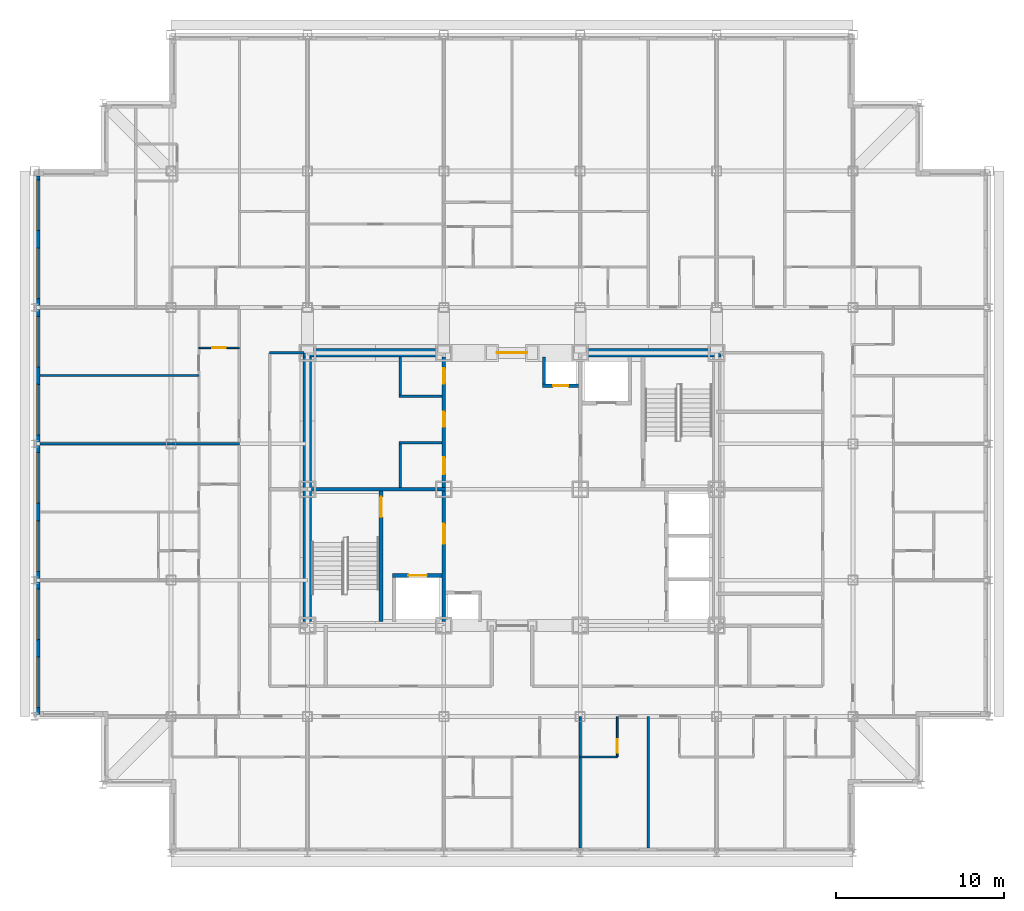
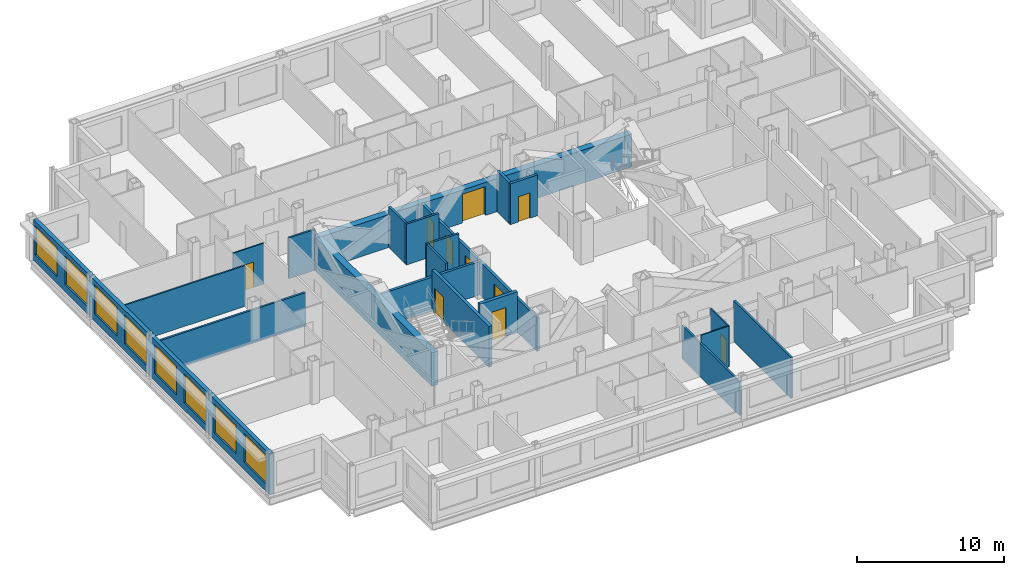
# One storey, part 6 of 12: 22 walls, 10 doors, 8 windows, 18 openings.
"""IFC4 building model written with IfcOpenShell, lengths in metres."""

from ifc_helpers import new_model, si_unit, direction, frame, frame_2d, origin, place, context, subcontext, project, spatial, rectangle, extrude, material, layer, layer_set, type_object, element, fill, save


model = new_model("IFC4")

# Units and contexts
model_context = context("Model", 3, precision=1e-05, world=origin(), true_north=direction((0.0, 1.0)))
body_context = subcontext(model_context, "Body", "Model", "MODEL_VIEW")
ifc_project = project(units=[si_unit("LENGTHUNIT", "METRE"), si_unit("AREAUNIT", "SQUARE_METRE"), si_unit("VOLUMEUNIT", "CUBIC_METRE"), si_unit("PLANEANGLEUNIT", "RADIAN"), si_unit("MASSUNIT", "GRAM", prefix="KILO")], contexts=[model_context])

# Site, building, storey
site_placement = place(None, origin())
site = spatial("IfcSite", under=ifc_project, at=site_placement, CompositionType="ELEMENT")
building_placement = place(site_placement, origin())
building = spatial("IfcBuilding", under=site, at=building_placement, Name="Kopane Lantern Tower", CompositionType="ELEMENT")
storey_placement = place(building_placement, frame((0.0, 0.0, 213.60009765625)))
storey = spatial("IfcBuildingStorey", under=building, at=storey_placement, Name="L55", CompositionType="ELEMENT", Elevation=213.60009765625)

# Walls
ifc_material_1 = material(Name="Gypsum board on steel studs", Category="steel")
ifc_layer_1 = layer(ifc_material_1, 0.1201171875)
ifc_layer_set_1 = layer_set([ifc_layer_1], Name="APARTMENT INTERNAL WALL 120")
wall_type_1 = type_object("IfcWallType", Name="APARTMENT INTERNAL WALL 120", PredefinedType="PARTITIONING", material=ifc_layer_set_1)
wall_1_placement = place(storey_placement, frame((9.75, 39.14990234375, 0.0), z_axis=(0.0, 0.0, 1.0), x_axis=(-1.0, 0.0, 0.0)))
element("IfcWall", 1, at=wall_1_placement, inside=storey, type_object=wall_type_1, Name="Apartment Internal Wall 120 L55", PredefinedType="PARTITIONING", context=body_context, shape_type="SweptSolid", body=[
    extrude(rectangle(XDim=9.449951171875, YDim=0.1201171875, at=frame_2d((4.72509765625, 0.0))), origin(), (0.0, 0.0, 1.0), 3.389892578125),
])
ifc_material_2 = material(Name="Moisture-resistant board on steel studs", Category="steel")
ifc_layer_2 = layer(ifc_material_2, 0.10009765625)
ifc_layer_set_2 = layer_set([ifc_layer_2], Name="BATHROOM WALL 100")
wall_type_2 = type_object("IfcWallType", Name="BATHROOM WALL 100", PredefinedType="PARTITIONING", material=ifc_layer_set_2)
wall_2_placement = place(storey_placement, frame((32.39990234375, 16.5, 0.0), z_axis=(0.0, 0.0, 1.0), x_axis=(1.0, 0.0, 0.0)))
element("IfcWall", 2, at=wall_2_placement, inside=storey, type_object=wall_type_2, Name="Bathroom Wall 100 L55", PredefinedType="PARTITIONING", context=body_context, shape_type="SweptSolid", body=[
    extrude(rectangle(XDim=2.2001953125, YDim=0.10009765625, at=frame_2d((1.10009765625, 0.0))), origin(), (0.0, 0.0, 1.0), 3.389892578125),
])

# Wall, opening, door
wall_3_placement = place(storey_placement, frame((34.60009765625, 18.89990234375, 0.0), z_axis=(0.0, 0.0, 1.0), x_axis=(0.0, -1.0, 0.0)))
wall_3 = element("IfcWall", 3, at=wall_3_placement, inside=storey, type_object=wall_type_2, Name="Bathroom Wall 100 L55", PredefinedType="PARTITIONING", context=body_context, shape_type="SweptSolid", body=[
    extrude(rectangle(XDim=2.39990234375, YDim=0.10009765625, at=frame_2d((1.199951171875, 0.0))), origin(), (0.0, 0.0, 1.0), 3.389892578125),
])
opening_1_placement = place(wall_3_placement, frame((1.35009765625, 0.0, 0.0)))
opening_1 = element("IfcOpeningElement", 4, at=opening_1_placement, cuts=wall_3, Name="Opening L55-018", PredefinedType="OPENING", context=body_context, shape_type="SweptSolid", body=[
    extrude(rectangle(XDim=0.800048828125, YDim=2.10009765625, at=frame_2d((0.39990234375, 1.050048828125))), frame((0.0, 0.06005859375, 0.0), z_axis=(0.0, -1.0, 0.0), x_axis=(1.0, 0.0, 0.0)), (0.0, 0.0, 1.0), 0.1201171875),
])
ifc_material_3 = material(Name="Timber door set", Category="wood")
door_type_1 = type_object("IfcDoorType", Name="DOOR D2 800x2100", OperationType="SINGLE_SWING_LEFT", PredefinedType="DOOR", material=ifc_material_3)
door_1_placement = place(opening_1_placement, origin())
door_1 = element("IfcDoor", 5, at=door_1_placement, inside=storey, type_object=door_type_1, Name="Door L55-018", OperationType="SINGLE_SWING_LEFT", OverallHeight=2.10009765625, OverallWidth=0.800048828125, PredefinedType="DOOR", context=body_context, shape_type="SweptSolid", body=[
    extrude(rectangle(XDim=0.800048828125, YDim=2.10009765625, at=frame_2d((0.39990234375, 1.050048828125))), frame((0.0, 0.02490234375, 0.0), z_axis=(0.0, -1.0, 0.0), x_axis=(1.0, 0.0, 0.0)), (0.0, 0.0, 1.0), 0.050048828125),
])
fill(opening_1, door_1)

wall_4_placement = place(storey_placement, frame((12.14990234375, 40.800048828125, 0.0), z_axis=(0.0, 0.0, 1.0), x_axis=(-1.0, 0.0, 0.0)))
wall_4 = element("IfcWall", 6, at=wall_4_placement, inside=storey, type_object=wall_type_2, Name="Bathroom Wall 100 L55", PredefinedType="PARTITIONING", context=body_context, shape_type="SweptSolid", body=[
    extrude(rectangle(XDim=2.39990234375, YDim=0.10009765625, at=frame_2d((1.199951171875, 0.0))), origin(), (0.0, 0.0, 1.0), 3.389892578125),
])
opening_2_placement = place(wall_4_placement, frame((0.800048828125, 0.0, 0.0)))
opening_2 = element("IfcOpeningElement", 7, at=opening_2_placement, cuts=wall_4, Name="Opening L55-041", PredefinedType="OPENING", context=body_context, shape_type="SweptSolid", body=[
    extrude(rectangle(XDim=0.800048828125, YDim=2.10009765625, at=frame_2d((0.39990234375, 1.050048828125))), frame((0.0, 0.06005859375, 0.0), z_axis=(0.0, -1.0, 0.0), x_axis=(1.0, 0.0, 0.0)), (0.0, 0.0, 1.0), 0.1201171875),
])
door_2_placement = place(opening_2_placement, origin())
door_2 = element("IfcDoor", 8, at=door_2_placement, inside=storey, type_object=door_type_1, Name="Door L55-041", OperationType="SINGLE_SWING_RIGHT", OverallHeight=2.10009765625, OverallWidth=0.800048828125, PredefinedType="DOOR", context=body_context, shape_type="SweptSolid", body=[
    extrude(rectangle(XDim=0.800048828125, YDim=2.10009765625, at=frame_2d((0.39990234375, 1.050048828125))), frame((0.0, 0.02490234375, 0.0), z_axis=(0.0, -1.0, 0.0), x_axis=(1.0, 0.0, 0.0)), (0.0, 0.0, 1.0), 0.050048828125),
])
fill(opening_2, door_2)

ifc_material_4 = material(Name="Gypsum shaft wall EI 120", Category="gypsum")
ifc_layer_3 = layer(ifc_material_4, 0.5)
ifc_layer_set_3 = layer_set([ifc_layer_3], Name="CORE PERIMETER WALL 500 EI 120")
wall_type_3 = type_object("IfcWallType", Name="CORE PERIMETER WALL 500 EI 120", PredefinedType="SOLIDWALL", material=ifc_layer_set_3)
wall_5_placement = place(storey_placement, frame((15.949951171875, 40.5, 0.0), z_axis=(0.0, 0.0, 1.0), x_axis=(1.0, 0.0, 0.0)))
wall_5 = element("IfcWall", 9, at=wall_5_placement, inside=storey, type_object=wall_type_3, Name="Core shaft wall L55 PN", PredefinedType="SOLIDWALL", context=body_context, shape_type="SweptSolid", body=[
    extrude(rectangle(XDim=24.800048828125, YDim=0.5, at=frame_2d((12.39990234375, 0.0))), origin(), (0.0, 0.0, 1.0), 2.739990234375),
])
opening_3_placement = place(wall_5_placement, frame((11.5, 0.0, 0.0)))
opening_3 = element("IfcOpeningElement", 10, at=opening_3_placement, cuts=wall_5, Name="Opening 55.CE-N", PredefinedType="OPENING", context=body_context, shape_type="SweptSolid", body=[
    extrude(rectangle(XDim=1.800048828125, YDim=2.39990234375, at=frame_2d((0.89990234375, 1.199951171875))), frame((0.0, 0.260009765625, 0.0), z_axis=(0.0, -1.0, 0.0), x_axis=(1.0, 0.0, 0.0)), (0.0, 0.0, 1.0), 0.52001953125),
])
ifc_material_5 = material(Name="Steel door set", Category="steel")
door_type_2 = type_object("IfcDoorType", Name="CORE ENTRY DOOR 1800x2400 FD60S", OperationType="DOUBLE_DOOR_SINGLE_SWING", PredefinedType="DOOR", material=ifc_material_5)
door_3_placement = place(opening_3_placement, origin())
door_3 = element("IfcDoor", 11, at=door_3_placement, inside=storey, type_object=door_type_2, Name="Core entry door L55 north", OperationType="DOUBLE_DOOR_SINGLE_SWING", OverallHeight=2.39990234375, OverallWidth=1.800048828125, PredefinedType="DOOR", context=body_context, shape_type="SweptSolid", body=[
    extrude(rectangle(XDim=1.800048828125, YDim=2.39990234375, at=frame_2d((0.89990234375, 1.199951171875))), frame((0.0, 0.02490234375, 0.0), z_axis=(0.0, -1.0, 0.0), x_axis=(1.0, 0.0, 0.0)), (0.0, 0.0, 1.0), 0.050048828125),
])
fill(opening_3, door_3)

# Walls
wall_6_placement = place(storey_placement, frame((16.199951171875, 24.550048828125, 0.0), z_axis=(0.0, 0.0, 1.0), x_axis=(0.0, 1.0, 0.0)))
element("IfcWall", 12, at=wall_6_placement, inside=storey, type_object=wall_type_3, Name="Core shaft wall L55 PW", PredefinedType="SOLIDWALL", context=body_context, shape_type="SweptSolid", body=[
    extrude(rectangle(XDim=15.699951171875, YDim=0.5, at=frame_2d((7.85009765625, 0.0))), origin(), (0.0, 0.0, 1.0), 2.777587890625),
])
ifc_material_6 = material(Name="Gypsum partition EI 60", Category="gypsum")
ifc_layer_4 = layer(ifc_material_6, 0.14990234375)
ifc_layer_set_4 = layer_set([ifc_layer_4], Name="CORE ROOM PARTITION 150 EI 60")
wall_type_4 = type_object("IfcWallType", Name="CORE ROOM PARTITION 150 EI 60", PredefinedType="PARTITIONING", material=ifc_layer_set_4)
for number, where, z_axis, x_axis, name in (
    (13, (21.64990234375, 35.175048828125, 0.0), (0.0, 0.0, 1.0), (1.0, 0.0, 0.0), "Core room partition L55 WW1"),
    (14, (21.64990234375, 37.925048828125, 0.0), (0.0, 0.0, 1.0), (1.0, 0.0, 0.0), "Core room partition L55 WW2"),
):
    element("IfcWall", number, at=place(storey_placement, frame(where, z_axis=z_axis, x_axis=x_axis)), inside=storey, type_object=wall_type_4, Name=name, PredefinedType="PARTITIONING", context=body_context, shape_type="SweptSolid", body=[
        extrude(rectangle(XDim=2.550048828125, YDim=0.14990234375, at=frame_2d((1.27490234375, 0.0))), origin(), (0.0, 0.0, 1.0), 3.389892578125),
    ])
wall_7_placement = place(storey_placement, frame((21.72509765625, 32.5, 0.0), z_axis=(0.0, 0.0, 1.0), x_axis=(0.0, 1.0, 0.0)))
element("IfcWall", 15, at=wall_7_placement, inside=storey, type_object=wall_type_4, Name="Core room partition L55 WWB0", PredefinedType="PARTITIONING", context=body_context, shape_type="SweptSolid", body=[
    extrude(rectangle(XDim=2.60009765625, YDim=0.14990234375, at=frame_2d((1.300048828125, 0.0))), origin(), (0.0, 0.0, 1.0), 3.389892578125),
])
wall_8_placement = place(storey_placement, frame((21.72509765625, 38.0, 0.0), z_axis=(0.0, 0.0, 1.0), x_axis=(0.0, 1.0, 0.0)))
element("IfcWall", 16, at=wall_8_placement, inside=storey, type_object=wall_type_4, Name="Core room partition L55 WWB1", PredefinedType="PARTITIONING", context=body_context, shape_type="SweptSolid", body=[
    extrude(rectangle(XDim=2.25, YDim=0.14990234375, at=frame_2d((1.125, 0.0))), origin(), (0.0, 0.0, 1.0), 3.389892578125),
])

# Wall, openings, doors
ifc_material_7 = material(Name="Gypsum partition EI 60", Category="gypsum")
ifc_layer_5 = layer(ifc_material_7, 0.199951171875)
ifc_layer_set_5 = layer_set([ifc_layer_5], Name="CORE ROOM WALL 200 EI 60")
wall_type_5 = type_object("IfcWallType", Name="CORE ROOM WALL 200 EI 60", PredefinedType="PARTITIONING", material=ifc_layer_set_5)
wall_9_placement = place(storey_placement, frame((24.300048828125, 32.5, 0.0), z_axis=(0.0, 0.0, 1.0), x_axis=(0.0, 1.0, 0.0)))
wall_9 = element("IfcWall", 17, at=wall_9_placement, inside=storey, type_object=wall_type_5, Name="Core room wall L55 XW", PredefinedType="PARTITIONING", context=body_context, shape_type="SweptSolid", body=[
    extrude(rectangle(XDim=7.75, YDim=0.199951171875, at=frame_2d((3.875, 0.0))), origin(), (0.0, 0.0, 1.0), 2.777587890625),
])
opening_4_placement = place(wall_9_placement, frame((0.800048828125, 0.0, 0.0)))
opening_4 = element("IfcOpeningElement", 18, at=opening_4_placement, cuts=wall_9, Name="Opening 55.C30", PredefinedType="OPENING", context=body_context, shape_type="SweptSolid", body=[
    extrude(rectangle(XDim=1.0, YDim=2.10009765625, at=frame_2d((0.5, 1.050048828125))), frame((0.0, 0.10986328125, 0.0), z_axis=(0.0, -1.0, 0.0), x_axis=(1.0, 0.0, 0.0)), (0.0, 0.0, 1.0), 0.219970703125),
])
opening_5_placement = place(wall_9_placement, frame((3.60009765625, 0.0, 0.0)))
opening_5 = element("IfcOpeningElement", 19, at=opening_5_placement, cuts=wall_9, Name="Opening 55.C31", PredefinedType="OPENING", context=body_context, shape_type="SweptSolid", body=[
    extrude(rectangle(XDim=0.89990234375, YDim=2.10009765625, at=frame_2d((0.449951171875, 1.050048828125))), frame((0.0, 0.10986328125, 0.0), z_axis=(0.0, -1.0, 0.0), x_axis=(1.0, 0.0, 0.0)), (0.0, 0.0, 1.0), 0.219970703125),
])
opening_6_placement = place(wall_9_placement, frame((6.175048828125, 0.0, 0.0)))
opening_6 = element("IfcOpeningElement", 20, at=opening_6_placement, cuts=wall_9, Name="Opening 55.C32", PredefinedType="OPENING", context=body_context, shape_type="SweptSolid", body=[
    extrude(rectangle(XDim=0.89990234375, YDim=2.10009765625, at=frame_2d((0.449951171875, 1.050048828125))), frame((0.0, 0.10986328125, 0.0), z_axis=(0.0, -1.0, 0.0), x_axis=(1.0, 0.0, 0.0)), (0.0, 0.0, 1.0), 0.219970703125),
])
ifc_material_8 = material(Name="Steel door set", Category="steel")
door_type_3 = type_object("IfcDoorType", Name="CORE ROOM DOOR 1000x2100 FD30S", OperationType="SINGLE_SWING_RIGHT", PredefinedType="DOOR", material=ifc_material_8)
door_4_placement = place(opening_4_placement, origin())
door_4 = element("IfcDoor", 21, at=door_4_placement, inside=storey, type_object=door_type_3, Name="Door Concierge pantry L55", OperationType="SINGLE_SWING_LEFT", OverallHeight=2.10009765625, OverallWidth=1.0, PredefinedType="DOOR", context=body_context, shape_type="SweptSolid", body=[
    extrude(rectangle(XDim=1.0, YDim=2.10009765625, at=frame_2d((0.5, 1.050048828125))), frame((0.0, 0.02490234375, 0.0), z_axis=(0.0, -1.0, 0.0), x_axis=(1.0, 0.0, 0.0)), (0.0, 0.0, 1.0), 0.050048828125),
])
fill(opening_4, door_4)
ifc_material_9 = material(Name="Steel door set", Category="steel")
door_type_4 = type_object("IfcDoorType", Name="CORE ROOM DOOR 900x2100 FD60", OperationType="SINGLE_SWING_LEFT", PredefinedType="DOOR", material=ifc_material_9)
door_5_placement = place(opening_5_placement, origin())
door_5 = element("IfcDoor", 22, at=door_5_placement, inside=storey, type_object=door_type_4, Name="Door Residents storage L55", OperationType="SINGLE_SWING_RIGHT", OverallHeight=2.10009765625, OverallWidth=0.89990234375, PredefinedType="DOOR", context=body_context, shape_type="SweptSolid", body=[
    extrude(rectangle(XDim=0.89990234375, YDim=2.10009765625, at=frame_2d((0.449951171875, 1.050048828125))), frame((0.0, 0.02490234375, 0.0), z_axis=(0.0, -1.0, 0.0), x_axis=(1.0, 0.0, 0.0)), (0.0, 0.0, 1.0), 0.050048828125),
])
fill(opening_5, door_5)
door_6_placement = place(opening_6_placement, origin())
door_6 = element("IfcDoor", 23, at=door_6_placement, inside=storey, type_object=door_type_4, Name="Door Cleaner store L55", OperationType="SINGLE_SWING_LEFT", OverallHeight=2.10009765625, OverallWidth=0.89990234375, PredefinedType="DOOR", context=body_context, shape_type="SweptSolid", body=[
    extrude(rectangle(XDim=0.89990234375, YDim=2.10009765625, at=frame_2d((0.449951171875, 1.050048828125))), frame((0.0, 0.02490234375, 0.0), z_axis=(0.0, -1.0, 0.0), x_axis=(1.0, 0.0, 0.0)), (0.0, 0.0, 1.0), 0.050048828125),
])
fill(opening_6, door_6)

# Wall, opening, door
ifc_material_10 = material(Name="Gypsum shaft wall EI 120", Category="gypsum")
ifc_layer_6 = layer(ifc_material_10, 0.25)
ifc_layer_set_6 = layer_set([ifc_layer_6], Name="CORE SHAFT WALL 250 EI 120")
wall_type_6 = type_object("IfcWallType", Name="CORE SHAFT WALL 250 EI 120", PredefinedType="SOLIDWALL", material=ifc_layer_set_6)
wall_10_placement = place(storey_placement, frame((20.574951171875, 24.550048828125, 0.0), z_axis=(0.0, 0.0, 1.0), x_axis=(0.0, 1.0, 0.0)))
wall_10 = element("IfcWall", 24, at=wall_10_placement, inside=storey, type_object=wall_type_6, Name="Core shaft wall L55 XST1", PredefinedType="SOLIDWALL", context=body_context, shape_type="SweptSolid", body=[
    extrude(rectangle(XDim=7.75, YDim=0.25, at=frame_2d((3.875, 0.0))), origin(), (0.0, 0.0, 1.0), 3.389892578125),
])
opening_7_placement = place(wall_10_placement, frame((6.199951171875, 0.0, 0.0)))
opening_7 = element("IfcOpeningElement", 25, at=opening_7_placement, cuts=wall_10, Name="Opening 55.SD1", PredefinedType="OPENING", context=body_context, shape_type="SweptSolid", body=[
    extrude(rectangle(XDim=1.199951171875, YDim=2.10009765625, at=frame_2d((0.60009765625, 1.050048828125))), frame((0.0, 0.135009765625, 0.0), z_axis=(0.0, -1.0, 0.0), x_axis=(1.0, 0.0, 0.0)), (0.0, 0.0, 1.0), 0.27001953125),
])
ifc_material_11 = material(Name="Steel door set", Category="steel")
door_type_5 = type_object("IfcDoorType", Name="STAIR DOOR 1200x2100 FD60S", OperationType="SINGLE_SWING_LEFT", PredefinedType="DOOR", material=ifc_material_11)
door_7_placement = place(opening_7_placement, origin())
door_7 = element("IfcDoor", 26, at=door_7_placement, inside=storey, type_object=door_type_5, Name="Stair door ST1 L55", OperationType="SINGLE_SWING_LEFT", OverallHeight=2.10009765625, OverallWidth=1.199951171875, PredefinedType="DOOR", context=body_context, shape_type="SweptSolid", body=[
    extrude(rectangle(XDim=1.199951171875, YDim=2.10009765625, at=frame_2d((0.60009765625, 1.050048828125))), frame((0.0, 0.02490234375, 0.0), z_axis=(0.0, -1.0, 0.0), x_axis=(1.0, 0.0, 0.0)), (0.0, 0.0, 1.0), 0.050048828125),
])
fill(opening_7, door_7)

wall_11_placement = place(storey_placement, frame((21.25, 27.27490234375, 0.0), z_axis=(0.0, 0.0, 1.0), x_axis=(1.0, 0.0, 0.0)))
wall_11 = element("IfcWall", 27, at=wall_11_placement, inside=storey, type_object=wall_type_6, Name="Core shaft wall L55 YLF1", PredefinedType="SOLIDWALL", context=body_context, shape_type="SweptSolid", body=[
    extrude(rectangle(XDim=2.949951171875, YDim=0.25, at=frame_2d((1.47509765625, 0.0))), origin(), (0.0, 0.0, 1.0), 3.389892578125),
])
opening_8_placement = place(wall_11_placement, frame((0.949951171875, 0.0, 0.0)))
opening_8 = element("IfcOpeningElement", 28, at=opening_8_placement, cuts=wall_11, Name="Opening 55.LD-LF1", PredefinedType="OPENING", context=body_context, shape_type="SweptSolid", body=[
    extrude(rectangle(XDim=1.10009765625, YDim=2.39990234375, at=frame_2d((0.550048828125, 1.199951171875))), frame((0.0, 0.135009765625, 0.0), z_axis=(0.0, -1.0, 0.0), x_axis=(1.0, 0.0, 0.0)), (0.0, 0.0, 1.0), 0.27001953125),
])
ifc_material_12 = material(Name="Steel door set", Category="steel")
door_type_6 = type_object("IfcDoorType", Name="LIFT LANDING DOOR 1100x2400 FD60", OperationType="DOUBLE_DOOR_SLIDING", PredefinedType="DOOR", material=ifc_material_12)
door_8_placement = place(opening_8_placement, origin())
door_8 = element("IfcDoor", 29, at=door_8_placement, inside=storey, type_object=door_type_6, Name="Landing door LF1 L55", OperationType="DOUBLE_DOOR_SLIDING", OverallHeight=2.39990234375, OverallWidth=1.10009765625, PredefinedType="DOOR", context=body_context, shape_type="SweptSolid", body=[
    extrude(rectangle(XDim=1.10009765625, YDim=2.39990234375, at=frame_2d((0.550048828125, 1.199951171875))), frame((0.0, 0.02490234375, 0.0), z_axis=(0.0, -1.0, 0.0), x_axis=(1.0, 0.0, 0.0)), (0.0, 0.0, 1.0), 0.050048828125),
])
fill(opening_8, door_8)

# Walls
ifc_material_13 = material(Name="Gypsum board on steel studs", Category="steel")
ifc_layer_7 = layer(ifc_material_13, 0.14990234375)
ifc_layer_set_7 = layer_set([ifc_layer_7], Name="CORRIDOR WALL 150 EI 60")
wall_type_7 = type_object("IfcWallType", Name="CORRIDOR WALL 150 EI 60", PredefinedType="PARTITIONING", material=ifc_layer_set_7)
wall_12_placement = place(storey_placement, frame((16.0, 40.5, 0.0), z_axis=(0.0, 0.0, 1.0), x_axis=(-1.0, 0.0, 0.0)))
element("IfcWall", 30, at=wall_12_placement, inside=storey, type_object=wall_type_7, Name="Corridor Wall 150 Ei 60 L55", PredefinedType="PARTITIONING", context=body_context, shape_type="SweptSolid", body=[
    extrude(rectangle(XDim=2.050048828125, YDim=0.14990234375, at=frame_2d((1.02490234375, 0.0))), origin(), (0.0, 0.0, 1.0), 3.389892578125),
])
ifc_material_14 = material(Name="Gypsum board on steel studs", Category="steel")
ifc_layer_8 = layer(ifc_material_14, 0.14990234375)
ifc_layer_set_8 = layer_set([ifc_layer_8], Name="DEMISING WALL 150 EI 60")
wall_type_8 = type_object("IfcWallType", Name="DEMISING WALL 150 EI 60", PredefinedType="PARTITIONING", material=ifc_layer_set_8)
wall_13_placement = place(storey_placement, frame((32.39990234375, 18.89990234375, 0.0), z_axis=(0.0, 0.0, 1.0), x_axis=(0.0, -1.0, 0.0)))
element("IfcWall", 31, at=wall_13_placement, inside=storey, type_object=wall_type_8, Name="Demising Wall 150 Ei 60 L55", PredefinedType="PARTITIONING", context=body_context, shape_type="SweptSolid", body=[
    extrude(rectangle(XDim=7.7998046875, YDim=0.14990234375, at=frame_2d((3.89990234375, 0.0))), origin(), (0.0, 0.0, 1.0), 2.777587890625),
])
wall_14_placement = place(storey_placement, frame((36.449951171875, 18.89990234375, 0.0), z_axis=(0.0, 0.0, 1.0), x_axis=(0.0, -1.0, 0.0)))
element("IfcWall", 32, at=wall_14_placement, inside=storey, type_object=wall_type_8, Name="Demising Wall 150 Ei 60 L55", PredefinedType="PARTITIONING", context=body_context, shape_type="SweptSolid", body=[
    extrude(rectangle(XDim=7.7998046875, YDim=0.14990234375, at=frame_2d((3.89990234375, 0.0))), origin(), (0.0, 0.0, 1.0), 3.389892578125),
])
wall_15_placement = place(storey_placement, frame((12.14990234375, 35.10009765625, 0.0), z_axis=(0.0, 0.0, 1.0), x_axis=(-1.0, 0.0, 0.0)))
element("IfcWall", 33, at=wall_15_placement, inside=storey, type_object=wall_type_8, Name="Demising Wall 150 Ei 60 L55", PredefinedType="PARTITIONING", context=body_context, shape_type="SweptSolid", body=[
    extrude(rectangle(XDim=11.849853515625, YDim=0.14990234375, at=frame_2d((5.9248046875, 0.0))), origin(), (0.0, 0.0, 1.0), 2.777587890625),
])

# Wall, openings, windows
ifc_material_15 = material(Name="Terracotta rainscreen on light steel framing", Category="masonry")
ifc_layer_9 = layer(ifc_material_15, 0.300048828125)
ifc_layer_set_9 = layer_set([ifc_layer_9], Name="EXTERNAL WALL EW1 300 TERRACOTTA")
wall_type_9 = type_object("IfcWallType", Name="EXTERNAL WALL EW1 300 TERRACOTTA", PredefinedType="SOLIDWALL", material=ifc_layer_set_9)
wall_16_placement = place(storey_placement, frame((0.14990234375, 51.0, 0.0), z_axis=(0.0, 0.0, 1.0), x_axis=(0.0, -1.0, 0.0)))
wall_16 = element("IfcWall", 34, at=wall_16_placement, inside=storey, type_object=wall_type_9, Name="External wall W L55", PredefinedType="SOLIDWALL", context=body_context, shape_type="SweptSolid", body=[
    extrude(rectangle(XDim=32.10009765625, YDim=0.300048828125, at=frame_2d((16.050048828125, 0.0))), origin(), (0.0, 0.0, 1.0), 3.389892578125),
])
opening_9_placement = place(wall_16_placement, frame((0.22509765625, 0.0, 0.60009765625)))
opening_9 = element("IfcOpeningElement", 35, at=opening_9_placement, cuts=wall_16, Name="Opening WR300240", PredefinedType="OPENING", context=body_context, shape_type="SweptSolid", body=[
    extrude(rectangle(XDim=3.0, YDim=2.39990234375, at=frame_2d((1.5, 1.199951171875))), frame((0.0, 0.159912109375, 0.0), z_axis=(0.0, -1.0, 0.0), x_axis=(1.0, 0.0, 0.0)), (0.0, 0.0, 1.0), 0.320068359375),
])
opening_10_placement = place(wall_16_placement, frame((4.27490234375, 0.0, 0.60009765625)))
opening_10 = element("IfcOpeningElement", 36, at=opening_10_placement, cuts=wall_16, Name="Opening WR300240", PredefinedType="OPENING", context=body_context, shape_type="SweptSolid", body=[
    extrude(rectangle(XDim=3.0, YDim=2.39990234375, at=frame_2d((1.5, 1.199951171875))), frame((0.0, 0.159912109375, 0.0), z_axis=(0.0, -1.0, 0.0), x_axis=(1.0, 0.0, 0.0)), (0.0, 0.0, 1.0), 0.320068359375),
])
opening_11_placement = place(wall_16_placement, frame((8.324951171875, 0.0, 0.60009765625)))
opening_11 = element("IfcOpeningElement", 37, at=opening_11_placement, cuts=wall_16, Name="Opening WR300240", PredefinedType="OPENING", context=body_context, shape_type="SweptSolid", body=[
    extrude(rectangle(XDim=3.0, YDim=2.39990234375, at=frame_2d((1.5, 1.199951171875))), frame((0.0, 0.159912109375, 0.0), z_axis=(0.0, -1.0, 0.0), x_axis=(1.0, 0.0, 0.0)), (0.0, 0.0, 1.0), 0.320068359375),
])
opening_12_placement = place(wall_16_placement, frame((12.375, 0.0, 0.60009765625)))
opening_12 = element("IfcOpeningElement", 38, at=opening_12_placement, cuts=wall_16, Name="Opening WR300240", PredefinedType="OPENING", context=body_context, shape_type="SweptSolid", body=[
    extrude(rectangle(XDim=3.0, YDim=2.39990234375, at=frame_2d((1.5, 1.199951171875))), frame((0.0, 0.159912109375, 0.0), z_axis=(0.0, -1.0, 0.0), x_axis=(1.0, 0.0, 0.0)), (0.0, 0.0, 1.0), 0.320068359375),
])
opening_13_placement = place(wall_16_placement, frame((16.425048828125, 0.0, 0.60009765625)))
opening_13 = element("IfcOpeningElement", 39, at=opening_13_placement, cuts=wall_16, Name="Opening WR300240", PredefinedType="OPENING", context=body_context, shape_type="SweptSolid", body=[
    extrude(rectangle(XDim=3.0, YDim=2.39990234375, at=frame_2d((1.5, 1.199951171875))), frame((0.0, 0.159912109375, 0.0), z_axis=(0.0, -1.0, 0.0), x_axis=(1.0, 0.0, 0.0)), (0.0, 0.0, 1.0), 0.320068359375),
])
opening_14_placement = place(wall_16_placement, frame((20.47509765625, 0.0, 0.60009765625)))
opening_14 = element("IfcOpeningElement", 40, at=opening_14_placement, cuts=wall_16, Name="Opening WR300240", PredefinedType="OPENING", context=body_context, shape_type="SweptSolid", body=[
    extrude(rectangle(XDim=3.0, YDim=2.39990234375, at=frame_2d((1.5, 1.199951171875))), frame((0.0, 0.159912109375, 0.0), z_axis=(0.0, -1.0, 0.0), x_axis=(1.0, 0.0, 0.0)), (0.0, 0.0, 1.0), 0.320068359375),
])
opening_15_placement = place(wall_16_placement, frame((24.52490234375, 0.0, 0.60009765625)))
opening_15 = element("IfcOpeningElement", 41, at=opening_15_placement, cuts=wall_16, Name="Opening WR300240", PredefinedType="OPENING", context=body_context, shape_type="SweptSolid", body=[
    extrude(rectangle(XDim=3.0, YDim=2.39990234375, at=frame_2d((1.5, 1.199951171875))), frame((0.0, 0.159912109375, 0.0), z_axis=(0.0, -1.0, 0.0), x_axis=(1.0, 0.0, 0.0)), (0.0, 0.0, 1.0), 0.320068359375),
])
opening_16_placement = place(wall_16_placement, frame((28.574951171875, 0.0, 0.60009765625)))
opening_16 = element("IfcOpeningElement", 42, at=opening_16_placement, cuts=wall_16, Name="Opening WR300240", PredefinedType="OPENING", context=body_context, shape_type="SweptSolid", body=[
    extrude(rectangle(XDim=3.0, YDim=2.39990234375, at=frame_2d((1.5, 1.199951171875))), frame((0.0, 0.159912109375, 0.0), z_axis=(0.0, -1.0, 0.0), x_axis=(1.0, 0.0, 0.0)), (0.0, 0.0, 1.0), 0.320068359375),
])
ifc_material_16 = material(Name="Aluminium and clear glass", Category="aluminium")
window_type = type_object("IfcWindowType", Name="RIBBON WINDOW WR300240 3000x2400", PartitioningType="SINGLE_PANEL", PredefinedType="WINDOW", material=ifc_material_16)
window_1_placement = place(opening_9_placement, origin())
window_1 = element("IfcWindow", 43, at=window_1_placement, inside=storey, type_object=window_type, Name="Window W L55", OverallHeight=2.39990234375, OverallWidth=3.0, PartitioningType="SINGLE_PANEL", PredefinedType="WINDOW", context=body_context, shape_type="SweptSolid", body=[
    extrude(rectangle(XDim=3.0, YDim=2.39990234375, at=frame_2d((1.5, 1.199951171875))), frame((0.0, 0.030029296875, 0.0), z_axis=(0.0, -1.0, 0.0), x_axis=(1.0, 0.0, 0.0)), (0.0, 0.0, 1.0), 0.06005859375),
])
fill(opening_9, window_1)
window_2_placement = place(opening_10_placement, origin())
window_2 = element("IfcWindow", 44, at=window_2_placement, inside=storey, type_object=window_type, Name="Window W L55", OverallHeight=2.39990234375, OverallWidth=3.0, PartitioningType="SINGLE_PANEL", PredefinedType="WINDOW", context=body_context, shape_type="SweptSolid", body=[
    extrude(rectangle(XDim=3.0, YDim=2.39990234375, at=frame_2d((1.5, 1.199951171875))), frame((0.0, 0.030029296875, 0.0), z_axis=(0.0, -1.0, 0.0), x_axis=(1.0, 0.0, 0.0)), (0.0, 0.0, 1.0), 0.06005859375),
])
fill(opening_10, window_2)
window_3_placement = place(opening_11_placement, origin())
window_3 = element("IfcWindow", 45, at=window_3_placement, inside=storey, type_object=window_type, Name="Window W L55", OverallHeight=2.39990234375, OverallWidth=3.0, PartitioningType="SINGLE_PANEL", PredefinedType="WINDOW", context=body_context, shape_type="SweptSolid", body=[
    extrude(rectangle(XDim=3.0, YDim=2.39990234375, at=frame_2d((1.5, 1.199951171875))), frame((0.0, 0.030029296875, 0.0), z_axis=(0.0, -1.0, 0.0), x_axis=(1.0, 0.0, 0.0)), (0.0, 0.0, 1.0), 0.06005859375),
])
fill(opening_11, window_3)
window_4_placement = place(opening_12_placement, origin())
window_4 = element("IfcWindow", 46, at=window_4_placement, inside=storey, type_object=window_type, Name="Window W L55", OverallHeight=2.39990234375, OverallWidth=3.0, PartitioningType="SINGLE_PANEL", PredefinedType="WINDOW", context=body_context, shape_type="SweptSolid", body=[
    extrude(rectangle(XDim=3.0, YDim=2.39990234375, at=frame_2d((1.5, 1.199951171875))), frame((0.0, 0.030029296875, 0.0), z_axis=(0.0, -1.0, 0.0), x_axis=(1.0, 0.0, 0.0)), (0.0, 0.0, 1.0), 0.06005859375),
])
fill(opening_12, window_4)
window_5_placement = place(opening_13_placement, origin())
window_5 = element("IfcWindow", 47, at=window_5_placement, inside=storey, type_object=window_type, Name="Window W L55", OverallHeight=2.39990234375, OverallWidth=3.0, PartitioningType="SINGLE_PANEL", PredefinedType="WINDOW", context=body_context, shape_type="SweptSolid", body=[
    extrude(rectangle(XDim=3.0, YDim=2.39990234375, at=frame_2d((1.5, 1.199951171875))), frame((0.0, 0.030029296875, 0.0), z_axis=(0.0, -1.0, 0.0), x_axis=(1.0, 0.0, 0.0)), (0.0, 0.0, 1.0), 0.06005859375),
])
fill(opening_13, window_5)
window_6_placement = place(opening_14_placement, origin())
window_6 = element("IfcWindow", 48, at=window_6_placement, inside=storey, type_object=window_type, Name="Window W L55", OverallHeight=2.39990234375, OverallWidth=3.0, PartitioningType="SINGLE_PANEL", PredefinedType="WINDOW", context=body_context, shape_type="SweptSolid", body=[
    extrude(rectangle(XDim=3.0, YDim=2.39990234375, at=frame_2d((1.5, 1.199951171875))), frame((0.0, 0.030029296875, 0.0), z_axis=(0.0, -1.0, 0.0), x_axis=(1.0, 0.0, 0.0)), (0.0, 0.0, 1.0), 0.06005859375),
])
fill(opening_14, window_6)
window_7_placement = place(opening_15_placement, origin())
window_7 = element("IfcWindow", 49, at=window_7_placement, inside=storey, type_object=window_type, Name="Window W L55", OverallHeight=2.39990234375, OverallWidth=3.0, PartitioningType="SINGLE_PANEL", PredefinedType="WINDOW", context=body_context, shape_type="SweptSolid", body=[
    extrude(rectangle(XDim=3.0, YDim=2.39990234375, at=frame_2d((1.5, 1.199951171875))), frame((0.0, 0.030029296875, 0.0), z_axis=(0.0, -1.0, 0.0), x_axis=(1.0, 0.0, 0.0)), (0.0, 0.0, 1.0), 0.06005859375),
])
fill(opening_15, window_7)
window_8_placement = place(opening_16_placement, origin())
window_8 = element("IfcWindow", 50, at=window_8_placement, inside=storey, type_object=window_type, Name="Window W L55", OverallHeight=2.39990234375, OverallWidth=3.0, PartitioningType="SINGLE_PANEL", PredefinedType="WINDOW", context=body_context, shape_type="SweptSolid", body=[
    extrude(rectangle(XDim=3.0, YDim=2.39990234375, at=frame_2d((1.5, 1.199951171875))), frame((0.0, 0.030029296875, 0.0), z_axis=(0.0, -1.0, 0.0), x_axis=(1.0, 0.0, 0.0)), (0.0, 0.0, 1.0), 0.06005859375),
])
fill(opening_16, window_8)

# Wall
ifc_material_17 = material(Name="Gypsum shaft wall EI 120", Category="gypsum")
ifc_layer_10 = layer(ifc_material_17, 0.199951171875)
ifc_layer_set_10 = layer_set([ifc_layer_10], Name="SHAFT WALL 200 EI 120")
wall_type_10 = type_object("IfcWallType", Name="SHAFT WALL 200 EI 120", PredefinedType="SOLIDWALL", material=ifc_layer_set_10)
wall_17_placement = place(storey_placement, frame((16.449951171875, 32.39990234375, 0.0), z_axis=(0.0, 0.0, 1.0), x_axis=(1.0, 0.0, 0.0)))
element("IfcWall", 51, at=wall_17_placement, inside=storey, type_object=wall_type_10, Name="Core shaft wall L55 Y324W", PredefinedType="SOLIDWALL", context=body_context, shape_type="SweptSolid", body=[
    extrude(rectangle(XDim=7.949951171875, YDim=0.199951171875, at=frame_2d((3.97509765625, 0.0))), origin(), (0.0, 0.0, 1.0), 2.777587890625),
])

# Wall, opening, door
wall_18_placement = place(storey_placement, frame((24.300048828125, 24.550048828125, 0.0), z_axis=(0.0, 0.0, 1.0), x_axis=(0.0, 1.0, 0.0)))
wall_18 = element("IfcWall", 52, at=wall_18_placement, inside=storey, type_object=wall_type_10, Name="Core shaft wall L55 X243", PredefinedType="SOLIDWALL", context=body_context, shape_type="SweptSolid", body=[
    extrude(rectangle(XDim=7.75, YDim=0.199951171875, at=frame_2d((3.875, 0.0))), origin(), (0.0, 0.0, 1.0), 2.777587890625),
])
opening_17_placement = place(wall_18_placement, frame((4.60009765625, 0.0, 0.0)))
opening_17 = element("IfcOpeningElement", 53, at=opening_17_placement, cuts=wall_18, Name="Opening 55.FL1", PredefinedType="OPENING", context=body_context, shape_type="SweptSolid", body=[
    extrude(rectangle(XDim=1.199951171875, YDim=2.10009765625, at=frame_2d((0.60009765625, 1.050048828125))), frame((0.0, 0.10986328125, 0.0), z_axis=(0.0, -1.0, 0.0), x_axis=(1.0, 0.0, 0.0)), (0.0, 0.0, 1.0), 0.219970703125),
])
ifc_material_18 = material(Name="Steel door set", Category="steel")
door_type_7 = type_object("IfcDoorType", Name="FIREFIGHTING LOBBY DOOR 1200x2100 FD60S", OperationType="SINGLE_SWING_RIGHT", PredefinedType="DOOR", material=ifc_material_18)
door_9_placement = place(opening_17_placement, origin())
door_9 = element("IfcDoor", 54, at=door_9_placement, inside=storey, type_object=door_type_7, Name="Firefighting lobby door FL1 L55", OperationType="SINGLE_SWING_LEFT", OverallHeight=2.10009765625, OverallWidth=1.199951171875, PredefinedType="DOOR", context=body_context, shape_type="SweptSolid", body=[
    extrude(rectangle(XDim=1.199951171875, YDim=2.10009765625, at=frame_2d((0.60009765625, 1.050048828125))), frame((0.0, 0.02490234375, 0.0), z_axis=(0.0, -1.0, 0.0), x_axis=(1.0, 0.0, 0.0)), (0.0, 0.0, 1.0), 0.050048828125),
])
fill(opening_17, door_9)

# Wall
wall_19_placement = place(storey_placement, frame((30.25, 38.64990234375, 0.0), z_axis=(0.0, 0.0, 1.0), x_axis=(0.0, 1.0, 0.0)))
element("IfcWall", 55, at=wall_19_placement, inside=storey, type_object=wall_type_10, Name="Core shaft wall L55 XRS2", PredefinedType="SOLIDWALL", context=body_context, shape_type="SweptSolid", body=[
    extrude(rectangle(XDim=1.60009765625, YDim=0.199951171875, at=frame_2d((0.800048828125, 0.0))), origin(), (0.0, 0.0, 1.0), 3.389892578125),
])

# Wall, opening, door
wall_20_placement = place(storey_placement, frame((30.14990234375, 38.550048828125, 0.0), z_axis=(0.0, 0.0, 1.0), x_axis=(1.0, 0.0, 0.0)))
wall_20 = element("IfcWall", 56, at=wall_20_placement, inside=storey, type_object=wall_type_10, Name="Core shaft wall L55 YRS2", PredefinedType="SOLIDWALL", context=body_context, shape_type="SweptSolid", body=[
    extrude(rectangle(XDim=2.150146484375, YDim=0.199951171875, at=frame_2d((1.0751953125, 0.0))), origin(), (0.0, 0.0, 1.0), 3.389892578125),
])
opening_18_placement = place(wall_20_placement, frame((0.64990234375, 0.0, 0.0)))
opening_18 = element("IfcOpeningElement", 57, at=opening_18_placement, cuts=wall_20, Name="Opening 55.RS2", PredefinedType="OPENING", context=body_context, shape_type="SweptSolid", body=[
    extrude(rectangle(XDim=0.89990234375, YDim=2.10009765625, at=frame_2d((0.449951171875, 1.050048828125))), frame((0.0, 0.10986328125, 0.0), z_axis=(0.0, -1.0, 0.0), x_axis=(1.0, 0.0, 0.0)), (0.0, 0.0, 1.0), 0.219970703125),
])
ifc_material_19 = material(Name="Steel door set", Category="steel")
door_type_8 = type_object("IfcDoorType", Name="RISER ACCESS DOOR 900x2100 FD60", OperationType="SINGLE_SWING_LEFT", PredefinedType="DOOR", material=ifc_material_19)
door_10_placement = place(opening_18_placement, origin())
door_10 = element("IfcDoor", 58, at=door_10_placement, inside=storey, type_object=door_type_8, Name="Riser access door RS2 L55", OperationType="SINGLE_SWING_LEFT", OverallHeight=2.10009765625, OverallWidth=0.89990234375, PredefinedType="DOOR", context=body_context, shape_type="SweptSolid", body=[
    extrude(rectangle(XDim=0.89990234375, YDim=2.10009765625, at=frame_2d((0.449951171875, 1.050048828125))), frame((0.0, 0.02490234375, 0.0), z_axis=(0.0, -1.0, 0.0), x_axis=(1.0, 0.0, 0.0)), (0.0, 0.0, 1.0), 0.050048828125),
])
fill(opening_18, door_10)

save(model, "model.ifc")
